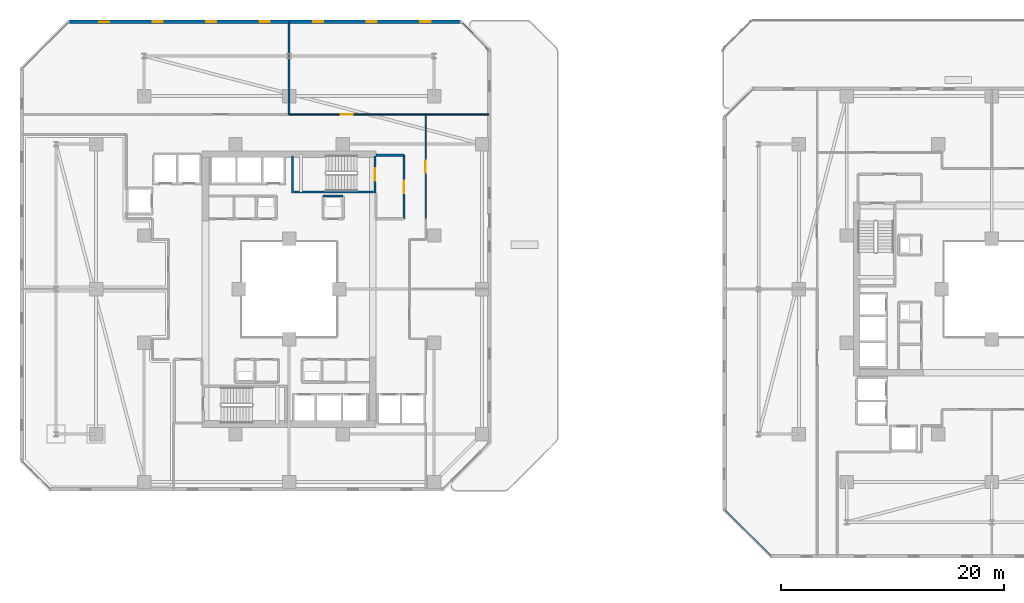
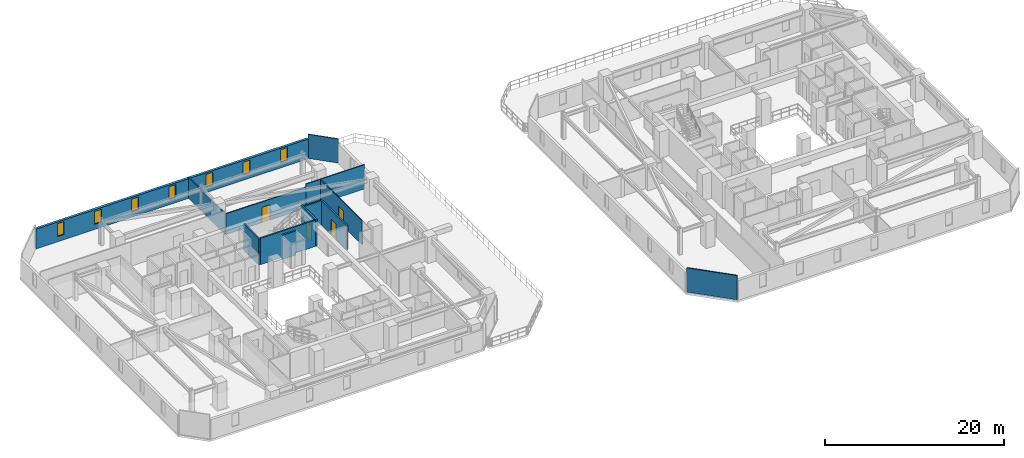
# One storey, part 23 of 33: 14 walls, 7 windows, 4 doors, 11 openings.
"""IFC4 building model written with IfcOpenShell, lengths in metres."""

from ifc_helpers import new_model, si_unit, direction, frame, frame_2d, origin, place, context, subcontext, project, spatial, rectangle, extrude, material, layer, layer_set, type_object, element, fill, save


model = new_model("IFC4")

# Units and contexts
model_context = context("Model", 3, precision=1e-05, world=origin(), true_north=direction((0.0, 1.0)))
body_context = subcontext(model_context, "Body", "Model", "MODEL_VIEW")
ifc_project = project(units=[si_unit("LENGTHUNIT", "METRE"), si_unit("AREAUNIT", "SQUARE_METRE"), si_unit("VOLUMEUNIT", "CUBIC_METRE"), si_unit("PLANEANGLEUNIT", "RADIAN"), si_unit("MASSUNIT", "GRAM", prefix="KILO")], contexts=[model_context])

# Site, building, storey
site_placement = place(None, origin())
site = spatial("IfcSite", under=ifc_project, at=site_placement, CompositionType="ELEMENT")
building_placement = place(site_placement, origin())
building = spatial("IfcBuilding", under=site, at=building_placement, Name="Thornwick Lancets Civic Towers", CompositionType="ELEMENT")
storey_placement = place(building_placement, frame((0.0, 0.0, 98.10009765625)))
storey = spatial("IfcBuildingStorey", under=building, at=storey_placement, Name="L25", CompositionType="ELEMENT", Elevation=98.10009765625)

# Wall, opening, door
ifc_material_1 = material(Name="Concrete blockwork C40/50", Category="masonry")
ifc_layer_1 = layer(ifc_material_1, 0.199951171875, Name="Concrete blockwork C40/50")
ifc_layer_set_1 = layer_set([ifc_layer_1], Name="Concrete blockwork C40/50")
wall_type_1 = type_object("IfcWallType", Name="WALL_COMP_200", PredefinedType="STANDARD", material=ifc_layer_set_1)
wall_1_placement = place(storey_placement, frame((35.800048828125, 33.300048828125, 0.0), z_axis=(0.0, 0.0, 1.0), x_axis=(0.0, 1.0, 0.0)))
wall_1 = element("IfcWall", 1, at=wall_1_placement, inside=storey, type_object=wall_type_1, Name="L25 Partition L25-A-FFLOB2 E2", PredefinedType="STANDARD", context=body_context, shape_type="SweptSolid", body=[
    extrude(rectangle(XDim=5.699951171875, YDim=0.199951171875, at=frame_2d((2.85009765625, 0.0))), origin(), (0.0, 0.0, 1.0), 3.2998046875),
])
opening_1_placement = place(wall_1_placement, frame((2.27490234375, 0.0, 0.0)))
opening_1 = element("IfcOpeningElement", 2, at=opening_1_placement, cuts=wall_1, Name="Opening D-L25-1156", PredefinedType="OPENING", context=body_context, shape_type="SweptSolid", body=[
    extrude(rectangle(XDim=1.14990234375, YDim=2.10009765625, at=frame_2d((0.574951171875, 1.050048828125))), frame((0.0, 0.10986328125, 0.0), z_axis=(0.0, -1.0, 0.0), x_axis=(1.0, 0.0, 0.0)), (0.0, 0.0, 1.0), 0.219970703125),
])
ifc_material_2 = material(Name="Glazed fire-resisting steel", Category="steel")
door_type_1 = type_object("IfcDoorType", Name="DOOR_LOBBY_FD60", OperationType="NOTDEFINED", PredefinedType="DOOR", material=ifc_material_2)
door_1_placement = place(opening_1_placement, origin())
door_1 = element("IfcDoor", 3, at=door_1_placement, inside=storey, type_object=door_type_1, Name="L25 North Firefighting Lobby 2 Door", OperationType="SINGLE_SWING_LEFT", OverallHeight=2.10009765625, OverallWidth=1.14990234375, PredefinedType="DOOR", context=body_context, shape_type="SweptSolid", body=[
    extrude(rectangle(XDim=1.14990234375, YDim=2.10009765625, at=frame_2d((0.574951171875, 1.050048828125))), frame((0.0, 0.02490234375, 0.0), z_axis=(0.0, -1.0, 0.0), x_axis=(1.0, 0.0, 0.0)), (0.0, 0.0, 1.0), 0.050048828125),
])
fill(opening_1, door_1)

# Walls
wall_2_placement = place(storey_placement, frame((35.800048828125, 39.0, 0.0), z_axis=(0.0, 0.0, 1.0), x_axis=(-1.0, 0.0, 0.0)))
element("IfcWall", 4, at=wall_2_placement, inside=storey, type_object=wall_type_1, Name="L25 Partition L25-A-FFLOB2 E3", PredefinedType="STANDARD", context=body_context, shape_type="SweptSolid", body=[
    extrude(rectangle(XDim=2.5, YDim=0.199951171875, at=frame_2d((1.25, 0.0))), origin(), (0.0, 0.0, 1.0), 3.2998046875),
])
wall_3_placement = place(storey_placement, frame((30.35009765625, 35.35009765625, 0.0), z_axis=(0.0, 0.0, 1.0), x_axis=(-1.0, 0.0, 0.0)))
element("IfcWall", 5, at=wall_3_placement, inside=storey, type_object=wall_type_1, Name="L25 Partition L25-A-RISER2 E3", PredefinedType="STANDARD", context=body_context, shape_type="SweptSolid", body=[
    extrude(rectangle(XDim=1.800048828125, YDim=0.199951171875, at=frame_2d((0.89990234375, 0.0))), origin(), (0.0, 0.0, 1.0), 3.2998046875),
])

# Wall, openings, windows
ifc_material_3 = material(Name="Insulated buff terracotta rainscreen on concrete C40/50", Category="masonry")
ifc_layer_2 = layer(ifc_material_3, 0.320068359375, Name="Insulated buff terracotta rainscreen on concrete C40/50")
ifc_layer_set_2 = layer_set([ifc_layer_2], Name="Insulated buff terracotta rainscreen on concrete C40/50")
wall_type_2 = type_object("IfcWallType", Name="WALL_EXT_TERRA_320", PredefinedType="STANDARD", material=ifc_layer_set_2)
wall_4_placement = place(storey_placement, frame((40.88134765625, 50.964599609375, 0.0), z_axis=(0.0, 0.0, 1.0), x_axis=(-0.999999989352, -0.000145929605, 0.0)))
wall_4 = element("IfcWall", 6, at=wall_4_placement, inside=storey, type_object=wall_type_2, Name="L25 Tower A Terracotta Facade Wall E4", PredefinedType="STANDARD", context=body_context, shape_type="SweptSolid", body=[
    extrude(rectangle(XDim=35.133056640625, YDim=0.320068359375, at=frame_2d((17.56640625, 0.0))), origin(), (0.0, 0.0, 1.0), 2.699951171875),
])
opening_2_placement = place(wall_4_placement, frame((2.699951171875, 0.0, 0.719970703125)))
opening_2 = element("IfcOpeningElement", 7, at=opening_2_placement, cuts=wall_4, Name="Opening WL-01", PredefinedType="OPENING", context=body_context, shape_type="SweptSolid", body=[
    extrude(rectangle(XDim=0.89990234375, YDim=1.75, at=frame_2d((0.449951171875, 0.875))), frame((0.0, 0.169921875, 0.0), z_axis=(0.0, -1.0, 0.0), x_axis=(1.0, 0.0, 0.0)), (0.0, 0.0, 1.0), 0.340087890625),
])
opening_3_placement = place(wall_4_placement, frame((7.5, 0.0, 0.719970703125)))
opening_3 = element("IfcOpeningElement", 8, at=opening_3_placement, cuts=wall_4, Name="Opening WL-01", PredefinedType="OPENING", context=body_context, shape_type="SweptSolid", body=[
    extrude(rectangle(XDim=0.89990234375, YDim=1.75, at=frame_2d((0.449951171875, 0.875))), frame((0.0, 0.169921875, 0.0), z_axis=(0.0, -1.0, 0.0), x_axis=(1.0, 0.0, 0.0)), (0.0, 0.0, 1.0), 0.340087890625),
])
opening_4_placement = place(wall_4_placement, frame((12.300048828125, 0.0, 0.719970703125)))
opening_4 = element("IfcOpeningElement", 9, at=opening_4_placement, cuts=wall_4, Name="Opening WL-01", PredefinedType="OPENING", context=body_context, shape_type="SweptSolid", body=[
    extrude(rectangle(XDim=0.89990234375, YDim=1.75, at=frame_2d((0.449951171875, 0.875))), frame((0.0, 0.169921875, 0.0), z_axis=(0.0, -1.0, 0.0), x_axis=(1.0, 0.0, 0.0)), (0.0, 0.0, 1.0), 0.340087890625),
])
opening_5_placement = place(wall_4_placement, frame((17.10009765625, 0.0, 0.719970703125)))
opening_5 = element("IfcOpeningElement", 10, at=opening_5_placement, cuts=wall_4, Name="Opening WL-01", PredefinedType="OPENING", context=body_context, shape_type="SweptSolid", body=[
    extrude(rectangle(XDim=0.89990234375, YDim=1.75, at=frame_2d((0.449951171875, 0.875))), frame((0.0, 0.169921875, 0.0), z_axis=(0.0, -1.0, 0.0), x_axis=(1.0, 0.0, 0.0)), (0.0, 0.0, 1.0), 0.340087890625),
])
opening_6_placement = place(wall_4_placement, frame((21.89990234375, 0.0, 0.719970703125)))
opening_6 = element("IfcOpeningElement", 11, at=opening_6_placement, cuts=wall_4, Name="Opening WL-01", PredefinedType="OPENING", context=body_context, shape_type="SweptSolid", body=[
    extrude(rectangle(XDim=0.89990234375, YDim=1.75, at=frame_2d((0.449951171875, 0.875))), frame((0.0, 0.169921875, 0.0), z_axis=(0.0, -1.0, 0.0), x_axis=(1.0, 0.0, 0.0)), (0.0, 0.0, 1.0), 0.340087890625),
])
opening_7_placement = place(wall_4_placement, frame((26.699951171875, 0.0, 0.719970703125)))
opening_7 = element("IfcOpeningElement", 12, at=opening_7_placement, cuts=wall_4, Name="Opening WL-01", PredefinedType="OPENING", context=body_context, shape_type="SweptSolid", body=[
    extrude(rectangle(XDim=0.89990234375, YDim=1.75, at=frame_2d((0.449951171875, 0.875))), frame((0.0, 0.169921875, 0.0), z_axis=(0.0, -1.0, 0.0), x_axis=(1.0, 0.0, 0.0)), (0.0, 0.0, 1.0), 0.340087890625),
])
opening_8_placement = place(wall_4_placement, frame((31.5, 0.0, 0.719970703125)))
opening_8 = element("IfcOpeningElement", 13, at=opening_8_placement, cuts=wall_4, Name="Opening WL-01", PredefinedType="OPENING", context=body_context, shape_type="SweptSolid", body=[
    extrude(rectangle(XDim=0.89990234375, YDim=1.75, at=frame_2d((0.449951171875, 0.875))), frame((0.0, 0.169921875, 0.0), z_axis=(0.0, -1.0, 0.0), x_axis=(1.0, 0.0, 0.0)), (0.0, 0.0, 1.0), 0.340087890625),
])
ifc_material_4 = material(Name="Clear low-e double glazing in bronze frame", Category="glass")
window_type = type_object("IfcWindowType", Name="WIN_LANCET_900", PartitioningType="SINGLE_PANEL", PredefinedType="WINDOW", material=ifc_material_4)
window_1_placement = place(opening_2_placement, origin())
window_1 = element("IfcWindow", 14, at=window_1_placement, inside=storey, type_object=window_type, Name="L25 Tower A Staggered Lancet Window E4-1", OverallHeight=1.75, OverallWidth=0.89990234375, PartitioningType="SINGLE_PANEL", PredefinedType="WINDOW", context=body_context, shape_type="SweptSolid", body=[
    extrude(rectangle(XDim=0.89990234375, YDim=1.75, at=frame_2d((0.449951171875, 0.875))), frame((0.0, 0.030029296875, 0.0), z_axis=(0.0, -1.0, 0.0), x_axis=(1.0, 0.0, 0.0)), (0.0, 0.0, 1.0), 0.06005859375),
])
fill(opening_2, window_1)
window_2_placement = place(opening_3_placement, origin())
window_2 = element("IfcWindow", 15, at=window_2_placement, inside=storey, type_object=window_type, Name="L25 Tower A Staggered Lancet Window E4-2", OverallHeight=1.75, OverallWidth=0.89990234375, PartitioningType="SINGLE_PANEL", PredefinedType="WINDOW", context=body_context, shape_type="SweptSolid", body=[
    extrude(rectangle(XDim=0.89990234375, YDim=1.75, at=frame_2d((0.449951171875, 0.875))), frame((0.0, 0.030029296875, 0.0), z_axis=(0.0, -1.0, 0.0), x_axis=(1.0, 0.0, 0.0)), (0.0, 0.0, 1.0), 0.06005859375),
])
fill(opening_3, window_2)
window_3_placement = place(opening_4_placement, origin())
window_3 = element("IfcWindow", 16, at=window_3_placement, inside=storey, type_object=window_type, Name="L25 Tower A Staggered Lancet Window E4-3", OverallHeight=1.75, OverallWidth=0.89990234375, PartitioningType="SINGLE_PANEL", PredefinedType="WINDOW", context=body_context, shape_type="SweptSolid", body=[
    extrude(rectangle(XDim=0.89990234375, YDim=1.75, at=frame_2d((0.449951171875, 0.875))), frame((0.0, 0.030029296875, 0.0), z_axis=(0.0, -1.0, 0.0), x_axis=(1.0, 0.0, 0.0)), (0.0, 0.0, 1.0), 0.06005859375),
])
fill(opening_4, window_3)
window_4_placement = place(opening_5_placement, origin())
window_4 = element("IfcWindow", 17, at=window_4_placement, inside=storey, type_object=window_type, Name="L25 Tower A Staggered Lancet Window E4-4", OverallHeight=1.75, OverallWidth=0.89990234375, PartitioningType="SINGLE_PANEL", PredefinedType="WINDOW", context=body_context, shape_type="SweptSolid", body=[
    extrude(rectangle(XDim=0.89990234375, YDim=1.75, at=frame_2d((0.449951171875, 0.875))), frame((0.0, 0.030029296875, 0.0), z_axis=(0.0, -1.0, 0.0), x_axis=(1.0, 0.0, 0.0)), (0.0, 0.0, 1.0), 0.06005859375),
])
fill(opening_5, window_4)
window_5_placement = place(opening_6_placement, origin())
window_5 = element("IfcWindow", 18, at=window_5_placement, inside=storey, type_object=window_type, Name="L25 Tower A Staggered Lancet Window E4-5", OverallHeight=1.75, OverallWidth=0.89990234375, PartitioningType="SINGLE_PANEL", PredefinedType="WINDOW", context=body_context, shape_type="SweptSolid", body=[
    extrude(rectangle(XDim=0.89990234375, YDim=1.75, at=frame_2d((0.449951171875, 0.875))), frame((0.0, 0.030029296875, 0.0), z_axis=(0.0, -1.0, 0.0), x_axis=(1.0, 0.0, 0.0)), (0.0, 0.0, 1.0), 0.06005859375),
])
fill(opening_6, window_5)
window_6_placement = place(opening_7_placement, origin())
window_6 = element("IfcWindow", 19, at=window_6_placement, inside=storey, type_object=window_type, Name="L25 Tower A Staggered Lancet Window E4-6", OverallHeight=1.75, OverallWidth=0.89990234375, PartitioningType="SINGLE_PANEL", PredefinedType="WINDOW", context=body_context, shape_type="SweptSolid", body=[
    extrude(rectangle(XDim=0.89990234375, YDim=1.75, at=frame_2d((0.449951171875, 0.875))), frame((0.0, 0.030029296875, 0.0), z_axis=(0.0, -1.0, 0.0), x_axis=(1.0, 0.0, 0.0)), (0.0, 0.0, 1.0), 0.06005859375),
])
fill(opening_7, window_6)
window_7_placement = place(opening_8_placement, origin())
window_7 = element("IfcWindow", 20, at=window_7_placement, inside=storey, type_object=window_type, Name="L25 Tower A Staggered Lancet Window E4-7", OverallHeight=1.75, OverallWidth=0.89990234375, PartitioningType="SINGLE_PANEL", PredefinedType="WINDOW", context=body_context, shape_type="SweptSolid", body=[
    extrude(rectangle(XDim=0.89990234375, YDim=1.75, at=frame_2d((0.449951171875, 0.875))), frame((0.0, 0.030029296875, 0.0), z_axis=(0.0, -1.0, 0.0), x_axis=(1.0, 0.0, 0.0)), (0.0, 0.0, 1.0), 0.06005859375),
])
fill(opening_8, window_7)

# Wall, opening, door
ifc_material_5 = material(Name="Acoustic gypsum board partition")
ifc_layer_3 = layer(ifc_material_5, 0.1201171875, Name="Acoustic gypsum board partition")
ifc_layer_set_3 = layer_set([ifc_layer_3], Name="Acoustic gypsum board partition")
wall_type_3 = type_object("IfcWallType", Name="WALL_PART_120", PredefinedType="PARTITIONING", material=ifc_layer_set_3)
wall_5_placement = place(storey_placement, frame((37.75, 33.300048828125, 0.0), z_axis=(0.0, 0.0, 1.0), x_axis=(0.0, 1.0, 0.0)))
wall_5 = element("IfcWall", 21, at=wall_5_placement, inside=storey, type_object=wall_type_3, Name="L25 Partition L25-A-E2 E3", PredefinedType="PARTITIONING", context=body_context, shape_type="SweptSolid", body=[
    extrude(rectangle(XDim=9.349853515625, YDim=0.1201171875, at=frame_2d((4.6748046875, 0.0))), origin(), (0.0, 0.0, 1.0), 3.2998046875),
])
opening_9_placement = place(wall_5_placement, frame((4.14990234375, 0.0, 0.0)))
opening_9 = element("IfcOpeningElement", 22, at=opening_9_placement, cuts=wall_5, Name="Opening D-L25-1180", PredefinedType="OPENING", context=body_context, shape_type="SweptSolid", body=[
    extrude(rectangle(XDim=1.050048828125, YDim=2.10009765625, at=frame_2d((0.52490234375, 1.050048828125))), frame((0.0, 0.070068359375, 0.0), z_axis=(0.0, -1.0, 0.0), x_axis=(1.0, 0.0, 0.0)), (0.0, 0.0, 1.0), 0.14013671875),
])
ifc_material_6 = material(Name="Glazed European oak executive doorset")
door_type_2 = type_object("IfcDoorType", Name="DOOR_OFFICE_1050", OperationType="NOTDEFINED", PredefinedType="DOOR", material=ifc_material_6)
door_2_placement = place(opening_9_placement, origin())
door_2 = element("IfcDoor", 23, at=door_2_placement, inside=storey, type_object=door_type_2, Name="L25 Tower A Visitors Reception and Waiting Door", OperationType="SINGLE_SWING_LEFT", OverallHeight=2.10009765625, OverallWidth=1.050048828125, PredefinedType="DOOR", context=body_context, shape_type="SweptSolid", body=[
    extrude(rectangle(XDim=1.050048828125, YDim=2.10009765625, at=frame_2d((0.52490234375, 1.050048828125))), frame((0.0, 0.02490234375, 0.0), z_axis=(0.0, -1.0, 0.0), x_axis=(1.0, 0.0, 0.0)), (0.0, 0.0, 1.0), 0.050048828125),
])
fill(opening_9, door_2)

# Walls
wall_6_placement = place(storey_placement, frame((37.75, 42.64990234375, 0.0), z_axis=(0.0, 0.0, 1.0), x_axis=(1.0, 0.0, 0.0)))
element("IfcWall", 24, at=wall_6_placement, inside=storey, type_object=wall_type_3, Name="L25 Partition L25-A-E2 E4", PredefinedType="PARTITIONING", context=body_context, shape_type="SweptSolid", body=[
    extrude(rectangle(XDim=5.669921875, YDim=0.1201171875, at=frame_2d((2.8349609375, 0.0))), origin(), (0.0, 0.0, 1.0), 3.2998046875),
])
wall_7_placement = place(storey_placement, frame((37.75, 42.64990234375, 0.0), z_axis=(0.0, 0.0, 1.0), x_axis=(-1.0, 0.0, 0.0)))
element("IfcWall", 25, at=wall_7_placement, inside=storey, type_object=wall_type_3, Name="L25 Partition L25-A-N-OFF E1", PredefinedType="PARTITIONING", context=body_context, shape_type="SweptSolid", body=[
    extrude(rectangle(XDim=1.89990234375, YDim=0.1201171875, at=frame_2d((0.949951171875, 0.0))), origin(), (0.0, 0.0, 1.0), 3.2998046875),
])

# Wall, opening, door
wall_8_placement = place(storey_placement, frame((35.85009765625, 42.64990234375, 0.0), z_axis=(0.0, 0.0, 1.0), x_axis=(-1.0, 0.0, 0.0)))
wall_8 = element("IfcWall", 26, at=wall_8_placement, inside=storey, type_object=wall_type_3, Name="L25 Partition L25-A-N-OFF E2", PredefinedType="PARTITIONING", context=body_context, shape_type="SweptSolid", body=[
    extrude(rectangle(XDim=10.35009765625, YDim=0.1201171875, at=frame_2d((5.175048828125, 0.0))), origin(), (0.0, 0.0, 1.0), 2.85498046875),
])
opening_10_placement = place(wall_8_placement, frame((4.64990234375, 0.0, 0.0)))
opening_10 = element("IfcOpeningElement", 27, at=opening_10_placement, cuts=wall_8, Name="Opening D-L25-1182", PredefinedType="OPENING", context=body_context, shape_type="SweptSolid", body=[
    extrude(rectangle(XDim=1.050048828125, YDim=2.10009765625, at=frame_2d((0.52490234375, 1.050048828125))), frame((0.0, 0.070068359375, 0.0), z_axis=(0.0, -1.0, 0.0), x_axis=(1.0, 0.0, 0.0)), (0.0, 0.0, 1.0), 0.14013671875),
])
door_3_placement = place(opening_10_placement, origin())
door_3 = element("IfcDoor", 28, at=door_3_placement, inside=storey, type_object=door_type_2, Name="L25 Tower A North Policy Office Door", OperationType="SINGLE_SWING_LEFT", OverallHeight=2.10009765625, OverallWidth=1.050048828125, PredefinedType="DOOR", context=body_context, shape_type="SweptSolid", body=[
    extrude(rectangle(XDim=1.050048828125, YDim=2.10009765625, at=frame_2d((0.52490234375, 1.050048828125))), frame((0.0, 0.02490234375, 0.0), z_axis=(0.0, -1.0, 0.0), x_axis=(1.0, 0.0, 0.0)), (0.0, 0.0, 1.0), 0.050048828125),
])
fill(opening_10, door_3)

# Walls
wall_9_placement = place(storey_placement, frame((40.92529296875, 50.919921875, 0.0), z_axis=(0.0, 0.0, 1.0), x_axis=(0.707106781187, -0.707106781187, 0.0)))
element("IfcWall", 29, at=wall_9_placement, inside=storey, type_object=wall_type_3, Name="L25 Partition L25-A-N-OFF E5", PredefinedType="PARTITIONING", context=body_context, shape_type="SweptSolid", body=[
    extrude(rectangle(XDim=3.52783203125, YDim=0.1201171875, at=frame_2d((1.763916015625, 0.0))), origin(), (0.0, 0.0, 1.0), 3.2998046875),
])
ifc_material_7 = material(Name="Twin-stud acoustic gypsum board")
ifc_layer_4 = layer(ifc_material_7, 0.14990234375, Name="Twin-stud acoustic gypsum board")
ifc_layer_set_4 = layer_set([ifc_layer_4], Name="Twin-stud acoustic gypsum board")
wall_type_4 = type_object("IfcWallType", Name="WALL_PART_150", PredefinedType="PARTITIONING", material=ifc_layer_set_4)
wall_10_placement = place(storey_placement, frame((25.5, 50.919921875, 0.0), z_axis=(0.0, 0.0, 1.0), x_axis=(0.0, -1.0, 0.0)))
element("IfcWall", 30, at=wall_10_placement, inside=storey, type_object=wall_type_4, Name="L25 Partition L25-A-N-CONF E5", PredefinedType="PARTITIONING", context=body_context, shape_type="SweptSolid", body=[
    extrude(rectangle(XDim=8.27001953125, YDim=0.14990234375, at=frame_2d((4.135009765625, 0.0))), origin(), (0.0, 0.0, 1.0), 2.837646484375),
])
wall_11_placement = place(storey_placement, frame((68.710693359375, 3.080078125, 0.0), z_axis=(0.0, 0.0, 1.0), x_axis=(-0.707106781187, 0.707106781187, 0.0)))
element("IfcWall", 31, at=wall_11_placement, inside=storey, type_object=wall_type_4, Name="L25 Partition L25-B-N-CONF E3", PredefinedType="PARTITIONING", context=body_context, shape_type="SweptSolid", body=[
    extrude(rectangle(XDim=5.841552734375, YDim=0.14990234375, at=frame_2d((2.9208984375, 0.0))), origin(), (0.0, 0.0, 1.0), 3.2998046875),
])

# Wall, opening, door
ifc_material_8 = material(Name="Concrete C40/50", Category="concrete")
ifc_layer_5 = layer(ifc_material_8, 0.199951171875, Name="Concrete C40/50")
ifc_layer_set_5 = layer_set([ifc_layer_5], Name="Concrete C40/50")
wall_type_5 = type_object("IfcWallType", Name="WALL_SHAFT_200", PredefinedType="SHEAR", material=ifc_layer_set_5)
wall_12_placement = place(storey_placement, frame((33.199951171875, 38.949951171875, 0.0), z_axis=(0.0, 0.0, 1.0), x_axis=(0.0, -1.0, 0.0)))
wall_12 = element("IfcWall", 32, at=wall_12_placement, inside=storey, type_object=wall_type_5, Name="L25 ST-A2 Fire Stair Core Wall NEAR", PredefinedType="SHEAR", context=body_context, shape_type="SweptSolid", body=[
    extrude(rectangle(XDim=3.349853515625, YDim=0.199951171875, at=frame_2d((1.6748046875, 0.0))), origin(), (0.0, 0.0, 1.0), 3.599853515625),
])
opening_11_placement = place(wall_12_placement, frame((1.125, 0.0, 0.0)))
opening_11 = element("IfcOpeningElement", 33, at=opening_11_placement, cuts=wall_12, Name="Opening D-ST-A2-L25", PredefinedType="OPENING", context=body_context, shape_type="SweptSolid", body=[
    extrude(rectangle(XDim=1.10009765625, YDim=2.10009765625, at=frame_2d((0.550048828125, 1.050048828125))), frame((0.0, 0.10986328125, 0.0), z_axis=(0.0, -1.0, 0.0), x_axis=(1.0, 0.0, 0.0)), (0.0, 0.0, 1.0), 0.219970703125),
])
ifc_material_9 = material(Name="Fire-resisting steel and hardwood", Category="steel")
door_type_3 = type_object("IfcDoorType", Name="DOOR_STAIR_FD60", OperationType="NOTDEFINED", PredefinedType="DOOR", material=ifc_material_9)
door_4_placement = place(opening_11_placement, origin())
door_4 = element("IfcDoor", 34, at=door_4_placement, inside=storey, type_object=door_type_3, Name="L25 ST-A2 Exit Stair Door", OperationType="SINGLE_SWING_LEFT", OverallHeight=2.10009765625, OverallWidth=1.10009765625, PredefinedType="DOOR", context=body_context, shape_type="SweptSolid", body=[
    extrude(rectangle(XDim=1.10009765625, YDim=2.10009765625, at=frame_2d((0.550048828125, 1.050048828125))), frame((0.0, 0.02490234375, 0.0), z_axis=(0.0, -1.0, 0.0), x_axis=(1.0, 0.0, 0.0)), (0.0, 0.0, 1.0), 0.050048828125),
])
fill(opening_11, door_4)

# Walls
wall_13_placement = place(storey_placement, frame((25.800048828125, 35.60009765625, 0.0), z_axis=(0.0, 0.0, 1.0), x_axis=(0.0, 1.0, 0.0)))
element("IfcWall", 35, at=wall_13_placement, inside=storey, type_object=wall_type_5, Name="L25 ST-A2 Fire Stair Core Wall FAR", PredefinedType="SHEAR", context=body_context, shape_type="SweptSolid", body=[
    extrude(rectangle(XDim=3.349853515625, YDim=0.199951171875, at=frame_2d((1.6748046875, 0.0))), origin(), (0.0, 0.0, 1.0), 3.599853515625),
])
wall_14_placement = place(storey_placement, frame((25.949951171875, 35.702880859375, 0.0), z_axis=(0.0, 0.0, 1.0), x_axis=(1.0, 0.0, 0.0)))
element("IfcWall", 36, at=wall_14_placement, inside=storey, type_object=wall_type_5, Name="L25 ST-A2 Fire Stair Core Wall RIGHT", PredefinedType="SHEAR", context=body_context, shape_type="SweptSolid", body=[
    extrude(rectangle(XDim=7.10009765625, YDim=0.199951171875, at=frame_2d((3.550048828125, 0.0))), origin(), (0.0, 0.0, 1.0), 3.599853515625),
])

save(model, "model.ifc")
